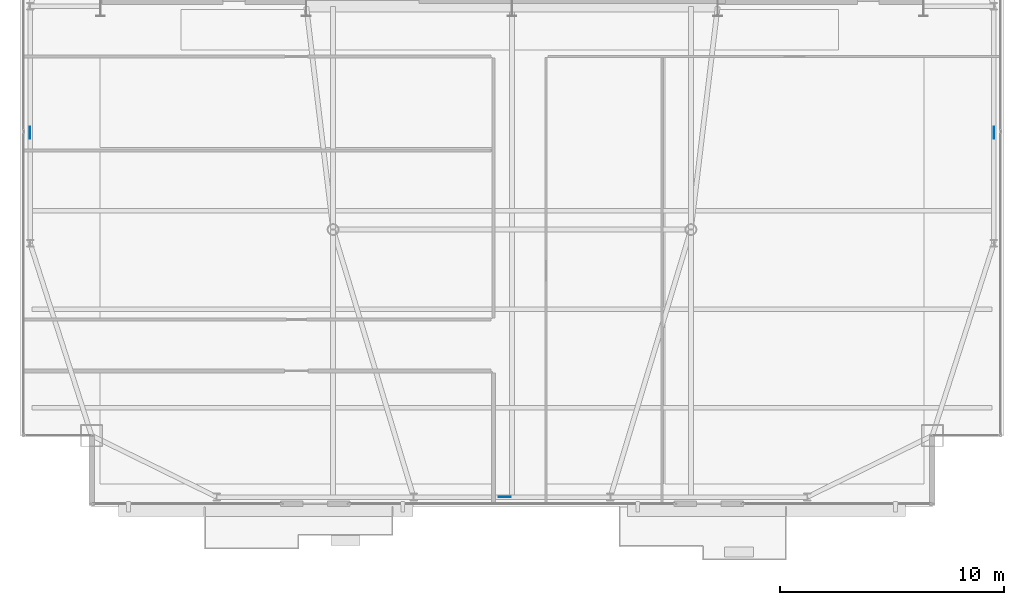
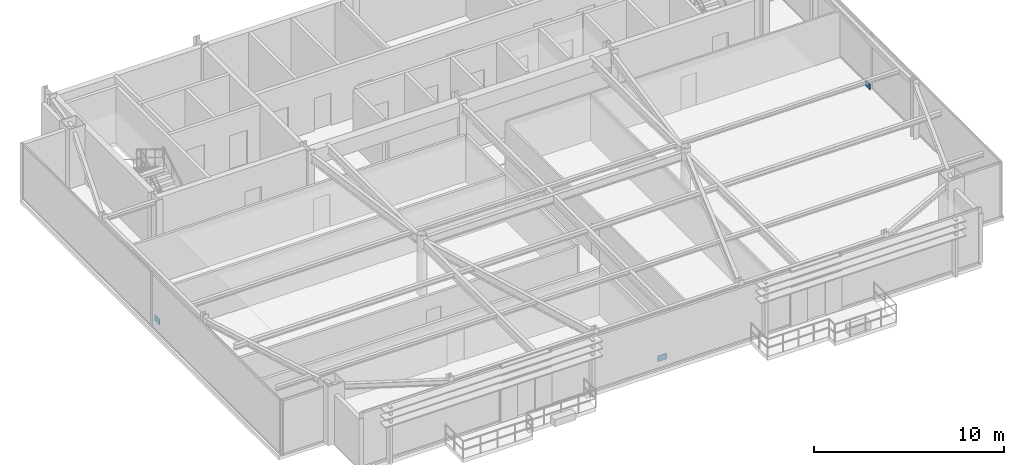
# One storey, part 18 of 23: 3 plates.
"""IFC4 building model written with IfcOpenShell, lengths in metres."""

from ifc_helpers import new_model, si_unit, direction, frame, origin, origin_2d, place, context, subcontext, project, spatial, rectangle, extrude, source, transform, mapped, material, layer, layer_set, type_object, type_shapes, element, save


model = new_model("IFC4")

# Units and contexts
model_context = context("Model", 3, precision=1e-05, world=origin(), true_north=direction((0.0, 1.0)))
body_context = subcontext(model_context, "Body", "Model", "MODEL_VIEW")
ifc_project = project(units=[si_unit("LENGTHUNIT", "METRE"), si_unit("AREAUNIT", "SQUARE_METRE"), si_unit("VOLUMEUNIT", "CUBIC_METRE"), si_unit("PLANEANGLEUNIT", "RADIAN"), si_unit("MASSUNIT", "GRAM", prefix="KILO")], contexts=[model_context])

# Site, building, storey
site_placement = place(None, origin())
site = spatial("IfcSite", under=ifc_project, at=site_placement, CompositionType="ELEMENT")
building_placement = place(site_placement, origin())
building = spatial("IfcBuilding", under=site, at=building_placement, Name="Varnel Quay Broadcast Tower", CompositionType="ELEMENT")
storey_placement = place(building_placement, frame((0.0, 0.0, 266.0)))
storey = spatial("IfcBuildingStorey", under=building, at=storey_placement, Name="L66", CompositionType="ELEMENT", Elevation=266.0)

# Plates
ifc_material = material(Name="Structural Steel CSA G40.21 350WT", Category="steel")
ifc_layer = layer(ifc_material, 0.031982421875, Name="Structural Steel CSA G40.21 350WT")
ifc_layer_set = layer_set([ifc_layer], Name="Structural Steel CSA G40.21 350WT")
plate_type = type_object("IfcPlateType", Name="Plate_EndCap", PredefinedType="USERDEFINED", material=ifc_layer_set)
shared_shape = source(origin(), body_context, "Body", "SweptSolid", [
    extrude(rectangle(XDim=0.5400390625, YDim=0.031982421875, at=origin_2d()), origin(), (0.0, 0.0, 1.0), 0.3798828125),
])
type_shapes(plate_type, [shared_shape])
for number, where, z_axis, x_axis, name in (
    (1, (33.67626953125, 13.64990234375, 0.233642578125), (0.0, 0.0, 1.0), (1.0, 0.0, 0.0), "Zone 5 Mega-Brace S-C1T1 Diag B2 End Connection Plate P0"),
    (2, (12.449951171875, 29.94091796875, 0.190185546875), (0.0, 0.0, 1.0), (0.0, 1.0, 0.0), "Zone 5 Mega-Brace W-FT1 Diag B2 End Connection Plate P0"),
    (3, (55.550048828125, 29.94091796875, 0.190185546875), (0.0, 0.0, 1.0), (0.0, 1.0, 0.0), "Zone 5 Mega-Brace E-FT1 Diag B2 End Connection Plate P0"),
):
    element("IfcPlate", number, at=place(storey_placement, frame(where, z_axis=z_axis, x_axis=x_axis)), inside=storey, type_object=plate_type, Name=name, ObjectType="CAP_PLATE", PredefinedType="USERDEFINED", context=body_context, shape_type="MappedRepresentation", body=[
        mapped(shared_shape, transform((0.0, 0.0, 0.0), x_axis=(1.0, 0.0, 0.0), y_axis=(0.0, 1.0, 0.0), z_axis=(0.0, 0.0, 1.0), scale=1.0)),
    ])

save(model, "model.ifc")
